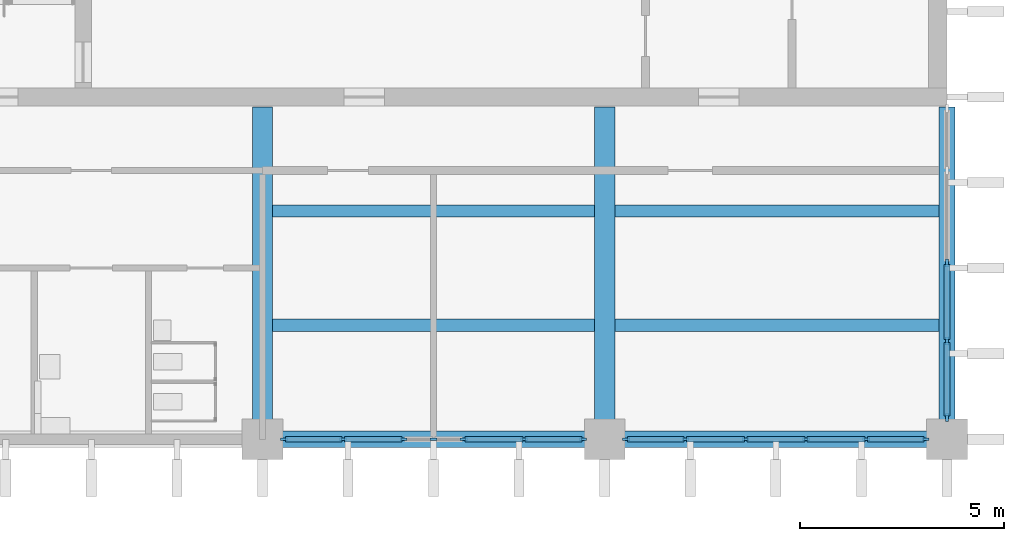
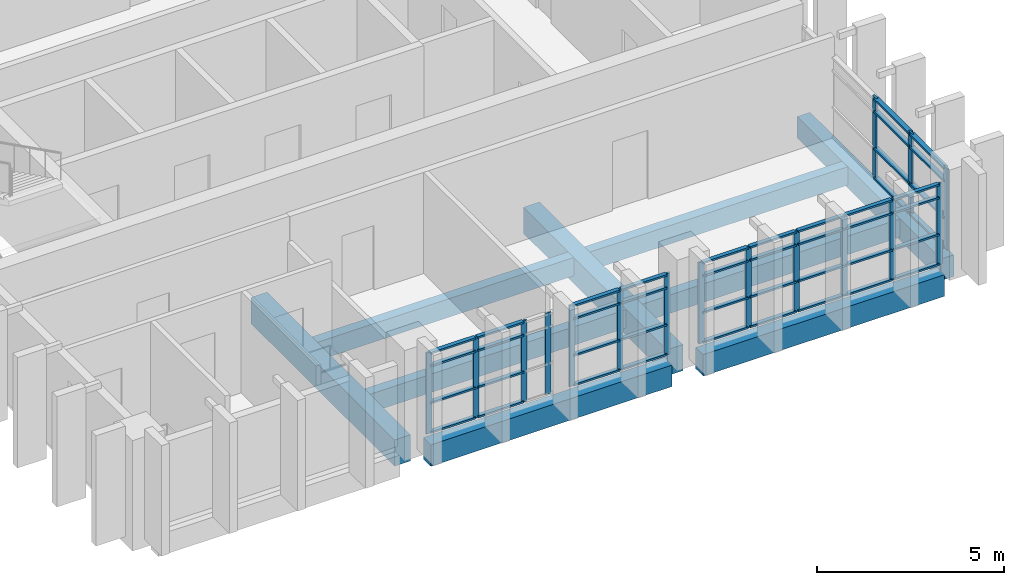
# One storey, part 2 of 11: 60 members, 9 beams, 3 elements without a shape of their own.
"""IFC4 building model written with IfcOpenShell, lengths in metres."""

import ifcopenshell
import ifcopenshell.guid

model = None  # the IFC model being written
_history = None  # IfcOwnerHistory: only IFC2X3 demands one
_inside = {}  # id of a spatial element -> (the spatial element, [elements in it])
_under = {}  # id of a project, library or spatial element -> (it, [spatial elements below it])
_declared = {}  # id of a project -> (the project, [libraries it declares])
_typed = {}  # id of a type object -> (the type object, [elements of that type])
_made_of = {}  # id of a material, layer set ... -> (it, [elements and type objects made of it])


def new_model(schema):
    """Start an empty IFC model of exactly this schema.

    Asked for "IFC4X3", IfcOpenShell would pick the latest addendum, in which some entities
    have other attributes; the version numbers below select the first issue.
    IFC2X3 requires an IfcOwnerHistory on every rooted entity: one is made here for all.
    """
    global model, _history
    if schema == "IFC4X3":
        model = ifcopenshell.file(schema_version=(4, 3, 0, 0))
    else:
        model = ifcopenshell.file(schema=schema)
    _inside.clear()
    _under.clear()
    _declared.clear()
    _typed.clear()
    _made_of.clear()
    _history = None
    if model.schema == "IFC2X3":
        org = make("IfcOrganization", Name="unknown")
        user = make(
            "IfcPersonAndOrganization",
            ThePerson=make("IfcPerson", FamilyName="unknown"),
            TheOrganization=org,
        )
        app = make(
            "IfcApplication",
            ApplicationDeveloper=org,
            Version="unknown",
            ApplicationFullName="unknown",
            ApplicationIdentifier="unknown",
        )
        _history = make(
            "IfcOwnerHistory",
            OwningUser=user,
            OwningApplication=app,
            ChangeAction="ADDED",
            CreationDate=0,
        )
    return model


def make(cls, **values):
    """One entity of the class cls with the attributes given. An attribute that is None is left unset."""
    return model.create_entity(
        cls, **{name: value for name, value in values.items() if value is not None}
    )


def rooted(cls, **values):
    """An entity with a GlobalId (a new one), such as an element, a storey or a relation."""
    return make(cls, GlobalId=ifcopenshell.guid.new(), OwnerHistory=_history, **values)


def si_unit(unit_type, name, prefix=None):
    """IfcSIUnit, for example si_unit("LENGTHUNIT", "METRE", prefix="MILLI")."""
    return make("IfcSIUnit", UnitType=unit_type, Prefix=prefix, Name=name)


def assignment(units):
    """IfcUnitAssignment: the units of a project."""
    return None if units is None else make("IfcUnitAssignment", Units=units)


def point(xyz):
    """IfcCartesianPoint."""
    return None if xyz is None else make("IfcCartesianPoint", Coordinates=xyz)


def direction(xyz):
    """IfcDirection."""
    return None if xyz is None else make("IfcDirection", DirectionRatios=xyz)


def frame(location, z_axis=None, x_axis=None):
    """IfcAxis2Placement3D, a coordinate frame: its origin and axes. An axis left out is left unset."""
    return make(
        "IfcAxis2Placement3D",
        Location=point(location),
        Axis=direction(z_axis),
        RefDirection=direction(x_axis),
    )


def frame_2d(location, x_axis=None):
    """IfcAxis2Placement2D, a coordinate frame in the plane: its origin and x axis."""
    return make(
        "IfcAxis2Placement2D", Location=point(location), RefDirection=direction(x_axis)
    )


def origin():
    """The frame at (0, 0, 0) with its axes left unset."""
    return frame((0.0, 0.0, 0.0))


def origin_2d():
    """The frame at (0, 0) in the plane with its x axis left unset."""
    return frame_2d((0.0, 0.0))


def place(relative_to, where):
    """IfcLocalPlacement: puts the frame where relative to a parent placement (None: the world)."""
    return make(
        "IfcLocalPlacement", PlacementRelTo=relative_to, RelativePlacement=where
    )


def context(
    kind, dimensions, precision=None, world=None, true_north=None, identifier=None
):
    """IfcGeometricRepresentationContext, for example the 3D "Model" context."""
    return make(
        "IfcGeometricRepresentationContext",
        ContextIdentifier=identifier,
        ContextType=kind,
        CoordinateSpaceDimension=dimensions,
        Precision=precision,
        WorldCoordinateSystem=world,
        TrueNorth=true_north,
    )


def subcontext(parent, identifier, kind, view, scale=None):
    """IfcGeometricRepresentationSubContext, for example "Body" below "Model"."""
    return make(
        "IfcGeometricRepresentationSubContext",
        ContextIdentifier=identifier,
        ContextType=kind,
        ParentContext=parent,
        TargetScale=scale,
        TargetView=view,
    )


def project(units=None, contexts=None):
    """IfcProject with its units and contexts."""
    return rooted(
        "IfcProject",
        Name="project",
        RepresentationContexts=contexts,
        UnitsInContext=assignment(units),
    )


def spatial(cls, under=None, at=None, **own):
    """A site, building, storey or space (cls), placed at a placement, below another one or the project."""
    s = rooted(cls, ObjectPlacement=at, **own)
    if under is not None:
        _under.setdefault(under.id(), (under, []))[1].append(s)
    return s


def profile(cls, at=None, kind="AREA", **sizes):
    """A parametric profile (cls). Its sizes go by their IFC names, for example OverallWidth=200.0."""
    return make(cls, ProfileType=kind, Position=at, **sizes)


def rectangle(**sizes):
    """IfcRectangleProfileDef."""
    return profile("IfcRectangleProfileDef", **sizes)


def extrude(swept, where, along, depth):
    """IfcExtrudedAreaSolid: the profile swept, set in the frame where, extruded along a direction by depth."""
    return make(
        "IfcExtrudedAreaSolid",
        SweptArea=swept,
        Position=where,
        ExtrudedDirection=direction(along),
        Depth=depth,
    )


def shape(context_of_items, identifier, shape_type, items):
    """IfcShapeRepresentation: the items that make up one representation, for example the "Body"."""
    return make(
        "IfcShapeRepresentation",
        ContextOfItems=context_of_items,
        RepresentationIdentifier=identifier,
        RepresentationType=shape_type,
        Items=items,
    )


def material(Name=None, Category=None):
    """IfcMaterial."""
    return make("IfcMaterial", Name=Name, Category=Category)


def layer(
    of_material, thickness, ventilated=None, Name=None, Category=None, Priority=None
):
    """IfcMaterialLayer: one layer of a wall or slab, of a material (None: an air gap)."""
    return make(
        "IfcMaterialLayer",
        Material=of_material,
        LayerThickness=thickness,
        IsVentilated=ventilated,
        Name=Name,
        Category=Category,
        Priority=Priority,
    )


def layer_set(layers, Name=None):
    """IfcMaterialLayerSet."""
    return make("IfcMaterialLayerSet", MaterialLayers=layers, LayerSetName=Name)


def material_profile(
    of_material, cross_section, Name=None, Category=None, Priority=None
):
    """IfcMaterialProfile: a cross section and its material."""
    return make(
        "IfcMaterialProfile",
        Name=Name,
        Material=of_material,
        Profile=cross_section,
        Priority=Priority,
        Category=Category,
    )


def profile_set(profiles, Name=None, composite=None):
    """IfcMaterialProfileSet."""
    return make(
        "IfcMaterialProfileSet",
        Name=Name,
        MaterialProfiles=profiles,
        CompositeProfile=composite,
    )


def made_of(thing, what):
    """Note that an element or type object is made of a material, layer set ...; save() writes the relation."""
    if what is not None:
        _made_of.setdefault(what.id(), (what, []))[1].append(thing)
    return thing


def type_object(cls, material=None, **own):
    """A type object (cls), such as IfcWallType, which elements share."""
    return made_of(rooted(cls, **own), material)


def element(
    cls,
    number,
    at=None,
    inside=None,
    cuts=None,
    type_object=None,
    material=None,
    context=None,
    identifier="Body",
    shape_type=None,
    held_by="IfcProductDefinitionShape",
    body=None,
    shapes=None,
    **own,
):
    """One element of the class cls, such as IfcWall. Its Tag is "e" and its number.

    at: its placement. inside: the storey or other place that contains it. cuts: it is an
    opening in that element (IfcRelVoidsElement). A single representation is given by context,
    identifier, shape_type and body (its items); several are given by shapes. held_by: the class
    of the entity that holds the representations. save() writes the other relations.
    """
    e = rooted(cls, Tag="e%d" % number, ObjectPlacement=at, **own)
    if body is not None:
        shapes = [shape(context, identifier, shape_type, body)]
    if shapes is not None:
        e.Representation = make(held_by, Representations=shapes)
    if inside is not None:
        _inside.setdefault(inside.id(), (inside, []))[1].append(e)
    if cuts is not None:
        rooted(
            "IfcRelVoidsElement", RelatingBuildingElement=cuts, RelatedOpeningElement=e
        )
    if type_object is not None:
        _typed.setdefault(type_object.id(), (type_object, []))[1].append(e)
    return made_of(e, material)


def aggregate(whole, parts):
    """IfcRelAggregates: a whole, such as a stair, and the parts it consists of."""
    return rooted("IfcRelAggregates", RelatingObject=whole, RelatedObjects=parts)


def save(model, path):
    """Write the relations noted so far, then the file.

    IfcRelAggregates (storeys below a building ...), IfcRelContainedInSpatialStructure (elements
    in a storey), IfcRelDefinesByType, IfcRelAssociatesMaterial and IfcRelDeclares: one each for
    every whole, place, type object, material and project.
    """
    for whole, parts in _under.values():
        aggregate(whole, parts)
    for where, things in _inside.values():
        rooted(
            "IfcRelContainedInSpatialStructure",
            RelatedElements=things,
            RelatingStructure=where,
        )
    for kind, things in _typed.values():
        rooted("IfcRelDefinesByType", RelatedObjects=things, RelatingType=kind)
    for what, things in _made_of.values():
        rooted("IfcRelAssociatesMaterial", RelatedObjects=things, RelatingMaterial=what)
    for by, libraries in _declared.values():
        rooted("IfcRelDeclares", RelatingContext=by, RelatedDefinitions=libraries)
    model.write(path)


model = new_model("IFC4")

# Units and contexts
model_context = context("Model", 3, precision=1e-05, world=origin(), true_north=direction((0.0, 1.0)))
body_context = subcontext(model_context, "Body", "Model", "MODEL_VIEW")
ifc_project = project(units=[si_unit("LENGTHUNIT", "METRE"), si_unit("AREAUNIT", "SQUARE_METRE"), si_unit("VOLUMEUNIT", "CUBIC_METRE"), si_unit("PLANEANGLEUNIT", "RADIAN"), si_unit("MASSUNIT", "GRAM", prefix="KILO")], contexts=[model_context])

# Site, building, storey
site_placement = place(None, origin())
site = spatial("IfcSite", under=ifc_project, at=site_placement, CompositionType="ELEMENT")
building_placement = place(site_placement, origin())
building = spatial("IfcBuilding", under=site, at=building_placement, Name="Rulbaag Community and Learning Centre", CompositionType="ELEMENT")
storey_placement = place(building_placement, frame((0.0, 0.0, 18.0)))
storey = spatial("IfcBuildingStorey", under=building, at=storey_placement, Name="L04", CompositionType="ELEMENT", Elevation=18.0)

# Beams
ifc_material_1 = material(Name="Concrete M40", Category="concrete")
ifc_material_profile_1 = material_profile(ifc_material_1, rectangle(XDim=0.39990234375, YDim=0.699951171875, at=origin_2d()), Name="RB400x700")
ifc_profile_set_1 = profile_set([ifc_material_profile_1], Name="Concrete M40")
beam_type_1 = type_object("IfcBeamType", Name="B17 Tower edge beam, lower zone 400x700 Concrete M40", PredefinedType="BEAM", material=ifc_profile_set_1)
beam_1_placement = place(storey_placement, frame((151.679931640625, 84.0, -0.60009765625), z_axis=(1.0, 0.0, 0.0), x_axis=(0.0, 1.0, 0.0)))
element("IfcBeam", 1, at=beam_1_placement, inside=storey, type_object=beam_type_1, Name="BM-L04-19K-20K", PredefinedType="BEAM", context=body_context, shape_type="SweptSolid", body=[
    extrude(rectangle(XDim=0.39990234375, YDim=0.699951171875, at=origin_2d()), origin(), (0.0, 0.0, 1.0), 7.440185546875),
])
beam_2_placement = place(storey_placement, frame((160.080078125, 84.0, -0.60009765625), z_axis=(1.0, 0.0, 0.0), x_axis=(0.0, 1.0, 0.0)))
element("IfcBeam", 2, at=beam_2_placement, inside=storey, type_object=beam_type_1, Name="BM-L04-20K-21K", PredefinedType="BEAM", context=body_context, shape_type="SweptSolid", body=[
    extrude(rectangle(XDim=0.39990234375, YDim=0.699951171875, at=origin_2d()), origin(), (0.0, 0.0, 1.0), 7.43994140625),
])
beam_3_placement = place(storey_placement, frame((168.0, 84.47998046875, -0.60009765625), z_axis=(0.0, 1.0, 0.0), x_axis=(-1.0, 0.0, 0.0)))
element("IfcBeam", 3, at=beam_3_placement, inside=storey, type_object=beam_type_1, Name="BM-L04-21K-21L", PredefinedType="BEAM", context=body_context, shape_type="SweptSolid", body=[
    extrude(rectangle(XDim=0.39990234375, YDim=0.699951171875, at=origin_2d()), origin(), (0.0, 0.0, 1.0), 7.669921875),
])
ifc_material_profile_2 = material_profile(ifc_material_1, rectangle(XDim=0.5, YDim=0.85009765625, at=origin_2d()), Name="RB500x850")
ifc_profile_set_2 = profile_set([ifc_material_profile_2], Name="Concrete M40")
beam_type_2 = type_object("IfcBeamType", Name="B18 Core-framing beam, lower zone 500x850 Concrete M40", PredefinedType="BEAM", material=ifc_profile_set_2)
for number, where, z_axis, x_axis, name in (
    (4, (151.199951171875, 84.47998046875, -0.675048828125), (0.0, 1.0, 0.0), (-1.0, 0.0, 0.0), "BM-L04-19K-19L"),
    (5, (159.60009765625, 84.47998046875, -0.675048828125), (0.0, 1.0, 0.0), (-1.0, 0.0, 0.0), "BM-L04-20K-20L"),
):
    element("IfcBeam", number, at=place(storey_placement, frame(where, z_axis=z_axis, x_axis=x_axis)), inside=storey, type_object=beam_type_2, Name=name, PredefinedType="BEAM", context=body_context, shape_type="SweptSolid", body=[
        extrude(rectangle(XDim=0.5, YDim=0.85009765625, at=origin_2d()), origin(), (0.0, 0.0, 1.0), 7.669921875),
    ])
ifc_material_profile_3 = material_profile(ifc_material_1, rectangle(XDim=0.300048828125, YDim=0.60009765625, at=origin_2d()), Name="RB300x600")
ifc_profile_set_3 = profile_set([ifc_material_profile_3], Name="Concrete M40")
beam_type_3 = type_object("IfcBeamType", Name="B30 Secondary joist 300x600 Concrete M40", PredefinedType="BEAM", material=ifc_profile_set_3)
for number, where, z_axis, x_axis, name in (
    (6, (151.449951171875, 86.800048828125, -0.550048828125), (1.0, 0.0, 0.0), (0.0, 1.0, 0.0), "BM-JS-L04-19K-1"),
    (7, (151.449951171875, 89.60009765625, -0.550048828125), (1.0, 0.0, 0.0), (0.0, 1.0, 0.0), "BM-JS-L04-19K-2"),
):
    element("IfcBeam", number, at=place(storey_placement, frame(where, z_axis=z_axis, x_axis=x_axis)), inside=storey, type_object=beam_type_3, Name=name, PredefinedType="BEAM", context=body_context, shape_type="SweptSolid", body=[
        extrude(rectangle(XDim=0.300048828125, YDim=0.60009765625, at=origin_2d()), origin(), (0.0, 0.0, 1.0), 7.900146484375),
    ])
for number, where, z_axis, x_axis, name in (
    (8, (159.85009765625, 86.800048828125, -0.550048828125), (1.0, 0.0, 0.0), (0.0, 1.0, 0.0), "BM-JS-L04-20K-1"),
    (9, (159.85009765625, 89.60009765625, -0.550048828125), (1.0, 0.0, 0.0), (0.0, 1.0, 0.0), "BM-JS-L04-20K-2"),
):
    element("IfcBeam", number, at=place(storey_placement, frame(where, z_axis=z_axis, x_axis=x_axis)), inside=storey, type_object=beam_type_3, Name=name, PredefinedType="BEAM", context=body_context, shape_type="SweptSolid", body=[
        extrude(rectangle(XDim=0.300048828125, YDim=0.60009765625, at=origin_2d()), origin(), (0.0, 0.0, 1.0), 7.949951171875),
    ])

# Curtain wall, members
ifc_material_2 = material(Name="Aluminium", Category="aluminium")
ifc_layer_1 = layer(ifc_material_2, 0.14990234375)
ifc_layer_set_1 = layer_set([ifc_layer_1], Name="CW-S")
curtain_wall_type_1 = type_object("IfcCurtainWallType", Name="CW-S", PredefinedType="USERDEFINED", material=ifc_layer_set_1)
curtain_wall_1_placement = place(storey_placement, origin())
curtain_wall_1 = element("IfcCurtainWall", 10, at=curtain_wall_1_placement, inside=storey, type_object=curtain_wall_type_1, Name="GS-L04-01", ObjectType="UNITISED CURTAIN WALL", PredefinedType="USERDEFINED")
ifc_material_3 = material(Name="Aluminium mullion", Category="aluminium")
ifc_material_profile_4 = material_profile(ifc_material_3, rectangle(XDim=0.06005859375, YDim=0.175048828125, at=origin_2d()), Name="AL 60x175")
ifc_profile_set_4 = profile_set([ifc_material_profile_4], Name="Aluminium mullion")
member_type_1 = type_object("IfcMemberType", Name="CW-S-MUL", PredefinedType="MULLION", material=ifc_profile_set_4)
member_1_placement = place(storey_placement, frame((151.72998046875, 84.0, 0.0), z_axis=(0.0, 0.0, 1.0), x_axis=(0.0, 1.0, 0.0)))
member_1 = element("IfcMember", 11, at=member_1_placement, type_object=member_type_1, Name="GS mullion 1", PredefinedType="MULLION", context=body_context, shape_type="SweptSolid", body=[
    extrude(rectangle(XDim=0.06005859375, YDim=0.175048828125, at=origin_2d()), origin(), (0.0, 0.0, 1.0), 2.64990234375),
])
member_2_placement = place(storey_placement, frame((153.179931640625, 84.0, 0.0), z_axis=(0.0, 0.0, 1.0), x_axis=(0.0, 1.0, 0.0)))
member_2 = element("IfcMember", 12, at=member_2_placement, type_object=member_type_1, Name="GS mullion 2", PredefinedType="MULLION", context=body_context, shape_type="SweptSolid", body=[
    extrude(rectangle(XDim=0.06005859375, YDim=0.175048828125, at=origin_2d()), origin(), (0.0, 0.0, 1.0), 2.64990234375),
])
member_3_placement = place(storey_placement, frame((154.659912109375, 84.0, 0.0), z_axis=(0.0, 0.0, 1.0), x_axis=(0.0, 1.0, 0.0)))
member_3 = element("IfcMember", 13, at=member_3_placement, type_object=member_type_1, Name="GS mullion 3", PredefinedType="MULLION", context=body_context, shape_type="SweptSolid", body=[
    extrude(rectangle(XDim=0.06005859375, YDim=0.175048828125, at=origin_2d()), origin(), (0.0, 0.0, 1.0), 2.64990234375),
])
member_4_placement = place(storey_placement, frame((155.39990234375, 84.0, 0.0), z_axis=(0.0, 0.0, 1.0), x_axis=(0.0, 1.0, 0.0)))
member_4 = element("IfcMember", 14, at=member_4_placement, type_object=member_type_1, Name="GS mullion 4", PredefinedType="MULLION", context=body_context, shape_type="SweptSolid", body=[
    extrude(rectangle(XDim=0.06005859375, YDim=0.175048828125, at=origin_2d()), origin(), (0.0, 0.0, 1.0), 2.64990234375),
])
member_5_placement = place(storey_placement, frame((156.139892578125, 84.0, 0.0), z_axis=(0.0, 0.0, 1.0), x_axis=(0.0, 1.0, 0.0)))
member_5 = element("IfcMember", 15, at=member_5_placement, type_object=member_type_1, Name="GS mullion 5", PredefinedType="MULLION", context=body_context, shape_type="SweptSolid", body=[
    extrude(rectangle(XDim=0.06005859375, YDim=0.175048828125, at=origin_2d()), origin(), (0.0, 0.0, 1.0), 2.64990234375),
])
member_6_placement = place(storey_placement, frame((157.6201171875, 84.0, 0.0), z_axis=(0.0, 0.0, 1.0), x_axis=(0.0, 1.0, 0.0)))
member_6 = element("IfcMember", 16, at=member_6_placement, type_object=member_type_1, Name="GS mullion 6", PredefinedType="MULLION", context=body_context, shape_type="SweptSolid", body=[
    extrude(rectangle(XDim=0.06005859375, YDim=0.175048828125, at=origin_2d()), origin(), (0.0, 0.0, 1.0), 2.64990234375),
])
member_7_placement = place(storey_placement, frame((159.070068359375, 84.0, 0.0), z_axis=(0.0, 0.0, 1.0), x_axis=(0.0, 1.0, 0.0)))
member_7 = element("IfcMember", 17, at=member_7_placement, type_object=member_type_1, Name="GS mullion 7", PredefinedType="MULLION", context=body_context, shape_type="SweptSolid", body=[
    extrude(rectangle(XDim=0.06005859375, YDim=0.175048828125, at=origin_2d()), origin(), (0.0, 0.0, 1.0), 2.64990234375),
])

curtain_wall_2_placement = place(storey_placement, origin())
curtain_wall_2 = element("IfcCurtainWall", 18, at=curtain_wall_2_placement, inside=storey, type_object=curtain_wall_type_1, Name="GS-L04-02", ObjectType="UNITISED CURTAIN WALL", PredefinedType="USERDEFINED")
member_8_placement = place(storey_placement, frame((160.1298828125, 84.0, 0.0), z_axis=(0.0, 0.0, 1.0), x_axis=(0.0, 1.0, 0.0)))
member_8 = element("IfcMember", 19, at=member_8_placement, type_object=member_type_1, Name="GS mullion 1", PredefinedType="MULLION", context=body_context, shape_type="SweptSolid", body=[
    extrude(rectangle(XDim=0.06005859375, YDim=0.175048828125, at=origin_2d()), origin(), (0.0, 0.0, 1.0), 2.64990234375),
])
member_9_placement = place(storey_placement, frame((161.580078125, 84.0, 0.0), z_axis=(0.0, 0.0, 1.0), x_axis=(0.0, 1.0, 0.0)))
member_9 = element("IfcMember", 20, at=member_9_placement, type_object=member_type_1, Name="GS mullion 2", PredefinedType="MULLION", context=body_context, shape_type="SweptSolid", body=[
    extrude(rectangle(XDim=0.06005859375, YDim=0.175048828125, at=origin_2d()), origin(), (0.0, 0.0, 1.0), 2.64990234375),
])
member_10_placement = place(storey_placement, frame((163.06005859375, 84.0, 0.0), z_axis=(0.0, 0.0, 1.0), x_axis=(0.0, 1.0, 0.0)))
member_10 = element("IfcMember", 21, at=member_10_placement, type_object=member_type_1, Name="GS mullion 3", PredefinedType="MULLION", context=body_context, shape_type="SweptSolid", body=[
    extrude(rectangle(XDim=0.06005859375, YDim=0.175048828125, at=origin_2d()), origin(), (0.0, 0.0, 1.0), 2.64990234375),
])
member_11_placement = place(storey_placement, frame((164.5400390625, 84.0, 0.0), z_axis=(0.0, 0.0, 1.0), x_axis=(0.0, 1.0, 0.0)))
member_11 = element("IfcMember", 22, at=member_11_placement, type_object=member_type_1, Name="GS mullion 4", PredefinedType="MULLION", context=body_context, shape_type="SweptSolid", body=[
    extrude(rectangle(XDim=0.06005859375, YDim=0.175048828125, at=origin_2d()), origin(), (0.0, 0.0, 1.0), 2.64990234375),
])
member_12_placement = place(storey_placement, frame((166.02001953125, 84.0, 0.0), z_axis=(0.0, 0.0, 1.0), x_axis=(0.0, 1.0, 0.0)))
member_12 = element("IfcMember", 23, at=member_12_placement, type_object=member_type_1, Name="GS mullion 5", PredefinedType="MULLION", context=body_context, shape_type="SweptSolid", body=[
    extrude(rectangle(XDim=0.06005859375, YDim=0.175048828125, at=origin_2d()), origin(), (0.0, 0.0, 1.0), 2.64990234375),
])
member_13_placement = place(storey_placement, frame((167.469970703125, 84.0, 0.0), z_axis=(0.0, 0.0, 1.0), x_axis=(0.0, 1.0, 0.0)))
member_13 = element("IfcMember", 24, at=member_13_placement, type_object=member_type_1, Name="GS mullion 6", PredefinedType="MULLION", context=body_context, shape_type="SweptSolid", body=[
    extrude(rectangle(XDim=0.06005859375, YDim=0.175048828125, at=origin_2d()), origin(), (0.0, 0.0, 1.0), 2.64990234375),
])

# Member
ifc_material_4 = material(Name="Aluminium transom", Category="aluminium")
ifc_material_profile_5 = material_profile(ifc_material_4, rectangle(XDim=0.125, YDim=0.06005859375, at=origin_2d()), Name="AL 60x125 T")
ifc_profile_set_5 = profile_set([ifc_material_profile_5], Name="Aluminium transom")
member_type_2 = type_object("IfcMemberType", Name="CW-S-TRN", PredefinedType="USERDEFINED", material=ifc_profile_set_5)
member_14_placement = place(storey_placement, frame((151.760009765625, 84.0, 0.030029296875), z_axis=(1.0, 0.0, 0.0), x_axis=(0.0, 1.0, 0.0)))
member_14 = element("IfcMember", 25, at=member_14_placement, type_object=member_type_2, Name="GS transom 1.1", ObjectType="TRANSOM", PredefinedType="USERDEFINED", context=body_context, shape_type="SweptSolid", body=[
    extrude(rectangle(XDim=0.125, YDim=0.06005859375, at=origin_2d()), origin(), (0.0, 0.0, 1.0), 1.389892578125),
])

member_15_placement = place(storey_placement, frame((151.760009765625, 84.0, 1.0), z_axis=(1.0, 0.0, 0.0), x_axis=(0.0, 1.0, 0.0)))
member_15 = element("IfcMember", 26, at=member_15_placement, type_object=member_type_2, Name="GS transom 1.2", ObjectType="TRANSOM", PredefinedType="USERDEFINED", context=body_context, shape_type="SweptSolid", body=[
    extrude(rectangle(XDim=0.125, YDim=0.06005859375, at=origin_2d()), origin(), (0.0, 0.0, 1.0), 1.389892578125),
])

member_16_placement = place(storey_placement, frame((151.760009765625, 84.0, 2.199951171875), z_axis=(1.0, 0.0, 0.0), x_axis=(0.0, 1.0, 0.0)))
member_16 = element("IfcMember", 27, at=member_16_placement, type_object=member_type_2, Name="GS transom 1.3", ObjectType="TRANSOM", PredefinedType="USERDEFINED", context=body_context, shape_type="SweptSolid", body=[
    extrude(rectangle(XDim=0.125, YDim=0.06005859375, at=origin_2d()), origin(), (0.0, 0.0, 1.0), 1.389892578125),
])

member_17_placement = place(storey_placement, frame((151.760009765625, 84.0, 2.6201171875), z_axis=(1.0, 0.0, 0.0), x_axis=(0.0, 1.0, 0.0)))
member_17 = element("IfcMember", 28, at=member_17_placement, type_object=member_type_2, Name="GS transom 1.4", ObjectType="TRANSOM", PredefinedType="USERDEFINED", context=body_context, shape_type="SweptSolid", body=[
    extrude(rectangle(XDim=0.125, YDim=0.06005859375, at=origin_2d()), origin(), (0.0, 0.0, 1.0), 1.389892578125),
])

member_18_placement = place(storey_placement, frame((153.2099609375, 84.0, 0.030029296875), z_axis=(1.0, 0.0, 0.0), x_axis=(0.0, 1.0, 0.0)))
member_18 = element("IfcMember", 29, at=member_18_placement, type_object=member_type_2, Name="GS transom 2.1", ObjectType="TRANSOM", PredefinedType="USERDEFINED", context=body_context, shape_type="SweptSolid", body=[
    extrude(rectangle(XDim=0.125, YDim=0.06005859375, at=origin_2d()), origin(), (0.0, 0.0, 1.0), 1.419921875),
])

member_19_placement = place(storey_placement, frame((153.2099609375, 84.0, 1.0), z_axis=(1.0, 0.0, 0.0), x_axis=(0.0, 1.0, 0.0)))
member_19 = element("IfcMember", 30, at=member_19_placement, type_object=member_type_2, Name="GS transom 2.2", ObjectType="TRANSOM", PredefinedType="USERDEFINED", context=body_context, shape_type="SweptSolid", body=[
    extrude(rectangle(XDim=0.125, YDim=0.06005859375, at=origin_2d()), origin(), (0.0, 0.0, 1.0), 1.419921875),
])

member_20_placement = place(storey_placement, frame((153.2099609375, 84.0, 2.199951171875), z_axis=(1.0, 0.0, 0.0), x_axis=(0.0, 1.0, 0.0)))
member_20 = element("IfcMember", 31, at=member_20_placement, type_object=member_type_2, Name="GS transom 2.3", ObjectType="TRANSOM", PredefinedType="USERDEFINED", context=body_context, shape_type="SweptSolid", body=[
    extrude(rectangle(XDim=0.125, YDim=0.06005859375, at=origin_2d()), origin(), (0.0, 0.0, 1.0), 1.419921875),
])

member_21_placement = place(storey_placement, frame((153.2099609375, 84.0, 2.6201171875), z_axis=(1.0, 0.0, 0.0), x_axis=(0.0, 1.0, 0.0)))
member_21 = element("IfcMember", 32, at=member_21_placement, type_object=member_type_2, Name="GS transom 2.4", ObjectType="TRANSOM", PredefinedType="USERDEFINED", context=body_context, shape_type="SweptSolid", body=[
    extrude(rectangle(XDim=0.125, YDim=0.06005859375, at=origin_2d()), origin(), (0.0, 0.0, 1.0), 1.419921875),
])

member_22_placement = place(storey_placement, frame((156.169921875, 84.0, 0.030029296875), z_axis=(1.0, 0.0, 0.0), x_axis=(0.0, 1.0, 0.0)))
member_22 = element("IfcMember", 33, at=member_22_placement, type_object=member_type_2, Name="GS transom 5.1", ObjectType="TRANSOM", PredefinedType="USERDEFINED", context=body_context, shape_type="SweptSolid", body=[
    extrude(rectangle(XDim=0.125, YDim=0.06005859375, at=origin_2d()), origin(), (0.0, 0.0, 1.0), 1.420166015625),
])

member_23_placement = place(storey_placement, frame((156.169921875, 84.0, 1.0), z_axis=(1.0, 0.0, 0.0), x_axis=(0.0, 1.0, 0.0)))
member_23 = element("IfcMember", 34, at=member_23_placement, type_object=member_type_2, Name="GS transom 5.2", ObjectType="TRANSOM", PredefinedType="USERDEFINED", context=body_context, shape_type="SweptSolid", body=[
    extrude(rectangle(XDim=0.125, YDim=0.06005859375, at=origin_2d()), origin(), (0.0, 0.0, 1.0), 1.420166015625),
])

member_24_placement = place(storey_placement, frame((156.169921875, 84.0, 2.199951171875), z_axis=(1.0, 0.0, 0.0), x_axis=(0.0, 1.0, 0.0)))
member_24 = element("IfcMember", 35, at=member_24_placement, type_object=member_type_2, Name="GS transom 5.3", ObjectType="TRANSOM", PredefinedType="USERDEFINED", context=body_context, shape_type="SweptSolid", body=[
    extrude(rectangle(XDim=0.125, YDim=0.06005859375, at=origin_2d()), origin(), (0.0, 0.0, 1.0), 1.420166015625),
])

member_25_placement = place(storey_placement, frame((156.169921875, 84.0, 2.6201171875), z_axis=(1.0, 0.0, 0.0), x_axis=(0.0, 1.0, 0.0)))
member_25 = element("IfcMember", 36, at=member_25_placement, type_object=member_type_2, Name="GS transom 5.4", ObjectType="TRANSOM", PredefinedType="USERDEFINED", context=body_context, shape_type="SweptSolid", body=[
    extrude(rectangle(XDim=0.125, YDim=0.06005859375, at=origin_2d()), origin(), (0.0, 0.0, 1.0), 1.420166015625),
])

member_26_placement = place(storey_placement, frame((157.64990234375, 84.0, 0.030029296875), z_axis=(1.0, 0.0, 0.0), x_axis=(0.0, 1.0, 0.0)))
member_26 = element("IfcMember", 37, at=member_26_placement, type_object=member_type_2, Name="GS transom 6.1", ObjectType="TRANSOM", PredefinedType="USERDEFINED", context=body_context, shape_type="SweptSolid", body=[
    extrude(rectangle(XDim=0.125, YDim=0.06005859375, at=origin_2d()), origin(), (0.0, 0.0, 1.0), 1.39013671875),
])

member_27_placement = place(storey_placement, frame((157.64990234375, 84.0, 1.0), z_axis=(1.0, 0.0, 0.0), x_axis=(0.0, 1.0, 0.0)))
member_27 = element("IfcMember", 38, at=member_27_placement, type_object=member_type_2, Name="GS transom 6.2", ObjectType="TRANSOM", PredefinedType="USERDEFINED", context=body_context, shape_type="SweptSolid", body=[
    extrude(rectangle(XDim=0.125, YDim=0.06005859375, at=origin_2d()), origin(), (0.0, 0.0, 1.0), 1.39013671875),
])

member_28_placement = place(storey_placement, frame((157.64990234375, 84.0, 2.199951171875), z_axis=(1.0, 0.0, 0.0), x_axis=(0.0, 1.0, 0.0)))
member_28 = element("IfcMember", 39, at=member_28_placement, type_object=member_type_2, Name="GS transom 6.3", ObjectType="TRANSOM", PredefinedType="USERDEFINED", context=body_context, shape_type="SweptSolid", body=[
    extrude(rectangle(XDim=0.125, YDim=0.06005859375, at=origin_2d()), origin(), (0.0, 0.0, 1.0), 1.39013671875),
])

member_29_placement = place(storey_placement, frame((157.64990234375, 84.0, 2.6201171875), z_axis=(1.0, 0.0, 0.0), x_axis=(0.0, 1.0, 0.0)))
member_29 = element("IfcMember", 40, at=member_29_placement, type_object=member_type_2, Name="GS transom 6.4", ObjectType="TRANSOM", PredefinedType="USERDEFINED", context=body_context, shape_type="SweptSolid", body=[
    extrude(rectangle(XDim=0.125, YDim=0.06005859375, at=origin_2d()), origin(), (0.0, 0.0, 1.0), 1.39013671875),
])

aggregate(curtain_wall_1, [member_1, member_2, member_3, member_4, member_5, member_6, member_7, member_14, member_15, member_16, member_17, member_18, member_19, member_20, member_21, member_22, member_23, member_24, member_25, member_26, member_27, member_28, member_29])

member_30_placement = place(storey_placement, frame((160.159912109375, 84.0, 0.030029296875), z_axis=(1.0, 0.0, 0.0), x_axis=(0.0, 1.0, 0.0)))
member_30 = element("IfcMember", 41, at=member_30_placement, type_object=member_type_2, Name="GS transom 1.1", ObjectType="TRANSOM", PredefinedType="USERDEFINED", context=body_context, shape_type="SweptSolid", body=[
    extrude(rectangle(XDim=0.125, YDim=0.06005859375, at=origin_2d()), origin(), (0.0, 0.0, 1.0), 1.39013671875),
])

member_31_placement = place(storey_placement, frame((160.159912109375, 84.0, 1.0), z_axis=(1.0, 0.0, 0.0), x_axis=(0.0, 1.0, 0.0)))
member_31 = element("IfcMember", 42, at=member_31_placement, type_object=member_type_2, Name="GS transom 1.2", ObjectType="TRANSOM", PredefinedType="USERDEFINED", context=body_context, shape_type="SweptSolid", body=[
    extrude(rectangle(XDim=0.125, YDim=0.06005859375, at=origin_2d()), origin(), (0.0, 0.0, 1.0), 1.39013671875),
])

member_32_placement = place(storey_placement, frame((160.159912109375, 84.0, 2.199951171875), z_axis=(1.0, 0.0, 0.0), x_axis=(0.0, 1.0, 0.0)))
member_32 = element("IfcMember", 43, at=member_32_placement, type_object=member_type_2, Name="GS transom 1.3", ObjectType="TRANSOM", PredefinedType="USERDEFINED", context=body_context, shape_type="SweptSolid", body=[
    extrude(rectangle(XDim=0.125, YDim=0.06005859375, at=origin_2d()), origin(), (0.0, 0.0, 1.0), 1.39013671875),
])

member_33_placement = place(storey_placement, frame((160.159912109375, 84.0, 2.6201171875), z_axis=(1.0, 0.0, 0.0), x_axis=(0.0, 1.0, 0.0)))
member_33 = element("IfcMember", 44, at=member_33_placement, type_object=member_type_2, Name="GS transom 1.4", ObjectType="TRANSOM", PredefinedType="USERDEFINED", context=body_context, shape_type="SweptSolid", body=[
    extrude(rectangle(XDim=0.125, YDim=0.06005859375, at=origin_2d()), origin(), (0.0, 0.0, 1.0), 1.39013671875),
])

member_34_placement = place(storey_placement, frame((161.610107421875, 84.0, 0.030029296875), z_axis=(1.0, 0.0, 0.0), x_axis=(0.0, 1.0, 0.0)))
member_34 = element("IfcMember", 45, at=member_34_placement, type_object=member_type_2, Name="GS transom 2.1", ObjectType="TRANSOM", PredefinedType="USERDEFINED", context=body_context, shape_type="SweptSolid", body=[
    extrude(rectangle(XDim=0.125, YDim=0.06005859375, at=origin_2d()), origin(), (0.0, 0.0, 1.0), 1.419921875),
])

member_35_placement = place(storey_placement, frame((161.610107421875, 84.0, 1.0), z_axis=(1.0, 0.0, 0.0), x_axis=(0.0, 1.0, 0.0)))
member_35 = element("IfcMember", 46, at=member_35_placement, type_object=member_type_2, Name="GS transom 2.2", ObjectType="TRANSOM", PredefinedType="USERDEFINED", context=body_context, shape_type="SweptSolid", body=[
    extrude(rectangle(XDim=0.125, YDim=0.06005859375, at=origin_2d()), origin(), (0.0, 0.0, 1.0), 1.419921875),
])

member_36_placement = place(storey_placement, frame((161.610107421875, 84.0, 2.199951171875), z_axis=(1.0, 0.0, 0.0), x_axis=(0.0, 1.0, 0.0)))
member_36 = element("IfcMember", 47, at=member_36_placement, type_object=member_type_2, Name="GS transom 2.3", ObjectType="TRANSOM", PredefinedType="USERDEFINED", context=body_context, shape_type="SweptSolid", body=[
    extrude(rectangle(XDim=0.125, YDim=0.06005859375, at=origin_2d()), origin(), (0.0, 0.0, 1.0), 1.419921875),
])

member_37_placement = place(storey_placement, frame((161.610107421875, 84.0, 2.6201171875), z_axis=(1.0, 0.0, 0.0), x_axis=(0.0, 1.0, 0.0)))
member_37 = element("IfcMember", 48, at=member_37_placement, type_object=member_type_2, Name="GS transom 2.4", ObjectType="TRANSOM", PredefinedType="USERDEFINED", context=body_context, shape_type="SweptSolid", body=[
    extrude(rectangle(XDim=0.125, YDim=0.06005859375, at=origin_2d()), origin(), (0.0, 0.0, 1.0), 1.419921875),
])

member_38_placement = place(storey_placement, frame((163.090087890625, 84.0, 0.030029296875), z_axis=(1.0, 0.0, 0.0), x_axis=(0.0, 1.0, 0.0)))
member_38 = element("IfcMember", 49, at=member_38_placement, type_object=member_type_2, Name="GS transom 3.1", ObjectType="TRANSOM", PredefinedType="USERDEFINED", context=body_context, shape_type="SweptSolid", body=[
    extrude(rectangle(XDim=0.125, YDim=0.06005859375, at=origin_2d()), origin(), (0.0, 0.0, 1.0), 1.419921875),
])

member_39_placement = place(storey_placement, frame((163.090087890625, 84.0, 1.0), z_axis=(1.0, 0.0, 0.0), x_axis=(0.0, 1.0, 0.0)))
member_39 = element("IfcMember", 50, at=member_39_placement, type_object=member_type_2, Name="GS transom 3.2", ObjectType="TRANSOM", PredefinedType="USERDEFINED", context=body_context, shape_type="SweptSolid", body=[
    extrude(rectangle(XDim=0.125, YDim=0.06005859375, at=origin_2d()), origin(), (0.0, 0.0, 1.0), 1.419921875),
])

member_40_placement = place(storey_placement, frame((163.090087890625, 84.0, 2.199951171875), z_axis=(1.0, 0.0, 0.0), x_axis=(0.0, 1.0, 0.0)))
member_40 = element("IfcMember", 51, at=member_40_placement, type_object=member_type_2, Name="GS transom 3.3", ObjectType="TRANSOM", PredefinedType="USERDEFINED", context=body_context, shape_type="SweptSolid", body=[
    extrude(rectangle(XDim=0.125, YDim=0.06005859375, at=origin_2d()), origin(), (0.0, 0.0, 1.0), 1.419921875),
])

member_41_placement = place(storey_placement, frame((163.090087890625, 84.0, 2.6201171875), z_axis=(1.0, 0.0, 0.0), x_axis=(0.0, 1.0, 0.0)))
member_41 = element("IfcMember", 52, at=member_41_placement, type_object=member_type_2, Name="GS transom 3.4", ObjectType="TRANSOM", PredefinedType="USERDEFINED", context=body_context, shape_type="SweptSolid", body=[
    extrude(rectangle(XDim=0.125, YDim=0.06005859375, at=origin_2d()), origin(), (0.0, 0.0, 1.0), 1.419921875),
])

member_42_placement = place(storey_placement, frame((164.570068359375, 84.0, 0.030029296875), z_axis=(1.0, 0.0, 0.0), x_axis=(0.0, 1.0, 0.0)))
member_42 = element("IfcMember", 53, at=member_42_placement, type_object=member_type_2, Name="GS transom 4.1", ObjectType="TRANSOM", PredefinedType="USERDEFINED", context=body_context, shape_type="SweptSolid", body=[
    extrude(rectangle(XDim=0.125, YDim=0.06005859375, at=origin_2d()), origin(), (0.0, 0.0, 1.0), 1.419921875),
])

member_43_placement = place(storey_placement, frame((164.570068359375, 84.0, 1.0), z_axis=(1.0, 0.0, 0.0), x_axis=(0.0, 1.0, 0.0)))
member_43 = element("IfcMember", 54, at=member_43_placement, type_object=member_type_2, Name="GS transom 4.2", ObjectType="TRANSOM", PredefinedType="USERDEFINED", context=body_context, shape_type="SweptSolid", body=[
    extrude(rectangle(XDim=0.125, YDim=0.06005859375, at=origin_2d()), origin(), (0.0, 0.0, 1.0), 1.419921875),
])

member_44_placement = place(storey_placement, frame((164.570068359375, 84.0, 2.199951171875), z_axis=(1.0, 0.0, 0.0), x_axis=(0.0, 1.0, 0.0)))
member_44 = element("IfcMember", 55, at=member_44_placement, type_object=member_type_2, Name="GS transom 4.3", ObjectType="TRANSOM", PredefinedType="USERDEFINED", context=body_context, shape_type="SweptSolid", body=[
    extrude(rectangle(XDim=0.125, YDim=0.06005859375, at=origin_2d()), origin(), (0.0, 0.0, 1.0), 1.419921875),
])

member_45_placement = place(storey_placement, frame((164.570068359375, 84.0, 2.6201171875), z_axis=(1.0, 0.0, 0.0), x_axis=(0.0, 1.0, 0.0)))
member_45 = element("IfcMember", 56, at=member_45_placement, type_object=member_type_2, Name="GS transom 4.4", ObjectType="TRANSOM", PredefinedType="USERDEFINED", context=body_context, shape_type="SweptSolid", body=[
    extrude(rectangle(XDim=0.125, YDim=0.06005859375, at=origin_2d()), origin(), (0.0, 0.0, 1.0), 1.419921875),
])

member_46_placement = place(storey_placement, frame((166.050048828125, 84.0, 0.030029296875), z_axis=(1.0, 0.0, 0.0), x_axis=(0.0, 1.0, 0.0)))
member_46 = element("IfcMember", 57, at=member_46_placement, type_object=member_type_2, Name="GS transom 5.1", ObjectType="TRANSOM", PredefinedType="USERDEFINED", context=body_context, shape_type="SweptSolid", body=[
    extrude(rectangle(XDim=0.125, YDim=0.06005859375, at=origin_2d()), origin(), (0.0, 0.0, 1.0), 1.389892578125),
])

member_47_placement = place(storey_placement, frame((166.050048828125, 84.0, 1.0), z_axis=(1.0, 0.0, 0.0), x_axis=(0.0, 1.0, 0.0)))
member_47 = element("IfcMember", 58, at=member_47_placement, type_object=member_type_2, Name="GS transom 5.2", ObjectType="TRANSOM", PredefinedType="USERDEFINED", context=body_context, shape_type="SweptSolid", body=[
    extrude(rectangle(XDim=0.125, YDim=0.06005859375, at=origin_2d()), origin(), (0.0, 0.0, 1.0), 1.389892578125),
])

member_48_placement = place(storey_placement, frame((166.050048828125, 84.0, 2.199951171875), z_axis=(1.0, 0.0, 0.0), x_axis=(0.0, 1.0, 0.0)))
member_48 = element("IfcMember", 59, at=member_48_placement, type_object=member_type_2, Name="GS transom 5.3", ObjectType="TRANSOM", PredefinedType="USERDEFINED", context=body_context, shape_type="SweptSolid", body=[
    extrude(rectangle(XDim=0.125, YDim=0.06005859375, at=origin_2d()), origin(), (0.0, 0.0, 1.0), 1.389892578125),
])

member_49_placement = place(storey_placement, frame((166.050048828125, 84.0, 2.6201171875), z_axis=(1.0, 0.0, 0.0), x_axis=(0.0, 1.0, 0.0)))
member_49 = element("IfcMember", 60, at=member_49_placement, type_object=member_type_2, Name="GS transom 5.4", ObjectType="TRANSOM", PredefinedType="USERDEFINED", context=body_context, shape_type="SweptSolid", body=[
    extrude(rectangle(XDim=0.125, YDim=0.06005859375, at=origin_2d()), origin(), (0.0, 0.0, 1.0), 1.389892578125),
])

aggregate(curtain_wall_2, [member_8, member_9, member_10, member_11, member_12, member_13, member_30, member_31, member_32, member_33, member_34, member_35, member_36, member_37, member_38, member_39, member_40, member_41, member_42, member_43, member_44, member_45, member_46, member_47, member_48, member_49])

# Curtain wall, members
ifc_layer_2 = layer(ifc_material_2, 0.14990234375)
ifc_layer_set_2 = layer_set([ifc_layer_2], Name="CW-T")
curtain_wall_type_2 = type_object("IfcCurtainWallType", Name="CW-T", PredefinedType="USERDEFINED", material=ifc_layer_set_2)
curtain_wall_3_placement = place(storey_placement, origin())
curtain_wall_3 = element("IfcCurtainWall", 61, at=curtain_wall_3_placement, inside=storey, type_object=curtain_wall_type_2, Name="GT-L04-05", ObjectType="UNITISED CURTAIN WALL", PredefinedType="USERDEFINED")
ifc_material_profile_6 = material_profile(ifc_material_3, rectangle(XDim=0.06494140625, YDim=0.199951171875, at=origin_2d()), Name="AL 65x200")
ifc_profile_set_6 = profile_set([ifc_material_profile_6], Name="Aluminium mullion")
member_type_3 = type_object("IfcMemberType", Name="CW-T-MUL", PredefinedType="MULLION", material=ifc_profile_set_6)
member_50_placement = place(storey_placement, frame((168.0, 84.532470703125, 0.0), z_axis=(0.0, 0.0, 1.0), x_axis=(-1.0, 0.0, 0.0)))
member_50 = element("IfcMember", 62, at=member_50_placement, type_object=member_type_3, Name="GT mullion 1", PredefinedType="MULLION", context=body_context, shape_type="SweptSolid", body=[
    extrude(rectangle(XDim=0.06494140625, YDim=0.199951171875, at=origin_2d()), origin(), (0.0, 0.0, 1.0), 2.64990234375),
])
member_51_placement = place(storey_placement, frame((168.0, 86.41259765625, 0.0), z_axis=(0.0, 0.0, 1.0), x_axis=(-1.0, 0.0, 0.0)))
member_51 = element("IfcMember", 63, at=member_51_placement, type_object=member_type_3, Name="GT mullion 2", PredefinedType="MULLION", context=body_context, shape_type="SweptSolid", body=[
    extrude(rectangle(XDim=0.06494140625, YDim=0.199951171875, at=origin_2d()), origin(), (0.0, 0.0, 1.0), 2.64990234375),
])
member_52_placement = place(storey_placement, frame((168.0, 88.324951171875, 0.0), z_axis=(0.0, 0.0, 1.0), x_axis=(-1.0, 0.0, 0.0)))
member_52 = element("IfcMember", 64, at=member_52_placement, type_object=member_type_3, Name="GT mullion 3", PredefinedType="MULLION", context=body_context, shape_type="SweptSolid", body=[
    extrude(rectangle(XDim=0.06494140625, YDim=0.199951171875, at=origin_2d()), origin(), (0.0, 0.0, 1.0), 2.64990234375),
])
ifc_material_profile_7 = material_profile(ifc_material_4, rectangle(XDim=0.14990234375, YDim=0.06494140625, at=origin_2d()), Name="AL 65x150 T")
ifc_profile_set_7 = profile_set([ifc_material_profile_7], Name="Aluminium transom")
member_type_4 = type_object("IfcMemberType", Name="CW-T-TRN", PredefinedType="USERDEFINED", material=ifc_profile_set_7)
member_53_placement = place(storey_placement, frame((168.0, 84.56494140625, 0.032470703125), z_axis=(0.0, 1.0, 0.0), x_axis=(-1.0, 0.0, 0.0)))
member_53 = element("IfcMember", 65, at=member_53_placement, type_object=member_type_4, Name="GT transom 1.1", ObjectType="TRANSOM", PredefinedType="USERDEFINED", context=body_context, shape_type="SweptSolid", body=[
    extrude(rectangle(XDim=0.14990234375, YDim=0.06494140625, at=origin_2d()), origin(), (0.0, 0.0, 1.0), 1.81494140625),
])
member_54_placement = place(storey_placement, frame((168.0, 84.56494140625, 1.0), z_axis=(0.0, 1.0, 0.0), x_axis=(-1.0, 0.0, 0.0)))
member_54 = element("IfcMember", 66, at=member_54_placement, type_object=member_type_4, Name="GT transom 1.2", ObjectType="TRANSOM", PredefinedType="USERDEFINED", context=body_context, shape_type="SweptSolid", body=[
    extrude(rectangle(XDim=0.14990234375, YDim=0.06494140625, at=origin_2d()), origin(), (0.0, 0.0, 1.0), 1.81494140625),
])
member_55_placement = place(storey_placement, frame((168.0, 84.56494140625, 2.199951171875), z_axis=(0.0, 1.0, 0.0), x_axis=(-1.0, 0.0, 0.0)))
member_55 = element("IfcMember", 67, at=member_55_placement, type_object=member_type_4, Name="GT transom 1.3", ObjectType="TRANSOM", PredefinedType="USERDEFINED", context=body_context, shape_type="SweptSolid", body=[
    extrude(rectangle(XDim=0.14990234375, YDim=0.06494140625, at=origin_2d()), origin(), (0.0, 0.0, 1.0), 1.81494140625),
])
member_56_placement = place(storey_placement, frame((168.0, 84.56494140625, 2.617431640625), z_axis=(0.0, 1.0, 0.0), x_axis=(-1.0, 0.0, 0.0)))
member_56 = element("IfcMember", 68, at=member_56_placement, type_object=member_type_4, Name="GT transom 1.4", ObjectType="TRANSOM", PredefinedType="USERDEFINED", context=body_context, shape_type="SweptSolid", body=[
    extrude(rectangle(XDim=0.14990234375, YDim=0.06494140625, at=origin_2d()), origin(), (0.0, 0.0, 1.0), 1.81494140625),
])
member_57_placement = place(storey_placement, frame((168.0, 86.445068359375, 0.032470703125), z_axis=(0.0, 1.0, 0.0), x_axis=(-1.0, 0.0, 0.0)))
member_57 = element("IfcMember", 69, at=member_57_placement, type_object=member_type_4, Name="GT transom 2.1", ObjectType="TRANSOM", PredefinedType="USERDEFINED", context=body_context, shape_type="SweptSolid", body=[
    extrude(rectangle(XDim=0.14990234375, YDim=0.06494140625, at=origin_2d()), origin(), (0.0, 0.0, 1.0), 1.847412109375),
])
member_58_placement = place(storey_placement, frame((168.0, 86.445068359375, 1.0), z_axis=(0.0, 1.0, 0.0), x_axis=(-1.0, 0.0, 0.0)))
member_58 = element("IfcMember", 70, at=member_58_placement, type_object=member_type_4, Name="GT transom 2.2", ObjectType="TRANSOM", PredefinedType="USERDEFINED", context=body_context, shape_type="SweptSolid", body=[
    extrude(rectangle(XDim=0.14990234375, YDim=0.06494140625, at=origin_2d()), origin(), (0.0, 0.0, 1.0), 1.847412109375),
])
member_59_placement = place(storey_placement, frame((168.0, 86.445068359375, 2.199951171875), z_axis=(0.0, 1.0, 0.0), x_axis=(-1.0, 0.0, 0.0)))
member_59 = element("IfcMember", 71, at=member_59_placement, type_object=member_type_4, Name="GT transom 2.3", ObjectType="TRANSOM", PredefinedType="USERDEFINED", context=body_context, shape_type="SweptSolid", body=[
    extrude(rectangle(XDim=0.14990234375, YDim=0.06494140625, at=origin_2d()), origin(), (0.0, 0.0, 1.0), 1.847412109375),
])
member_60_placement = place(storey_placement, frame((168.0, 86.445068359375, 2.617431640625), z_axis=(0.0, 1.0, 0.0), x_axis=(-1.0, 0.0, 0.0)))
member_60 = element("IfcMember", 72, at=member_60_placement, type_object=member_type_4, Name="GT transom 2.4", ObjectType="TRANSOM", PredefinedType="USERDEFINED", context=body_context, shape_type="SweptSolid", body=[
    extrude(rectangle(XDim=0.14990234375, YDim=0.06494140625, at=origin_2d()), origin(), (0.0, 0.0, 1.0), 1.847412109375),
])
aggregate(curtain_wall_3, [member_50, member_51, member_52, member_53, member_54, member_55, member_56, member_57, member_58, member_59, member_60])

save(model, "model.ifc")
